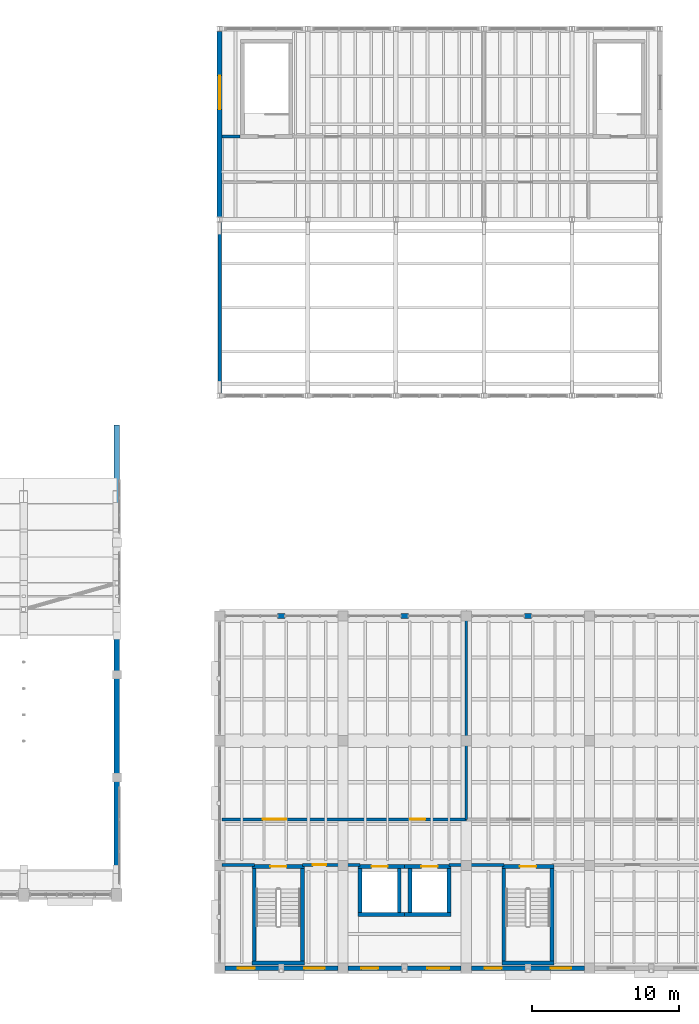
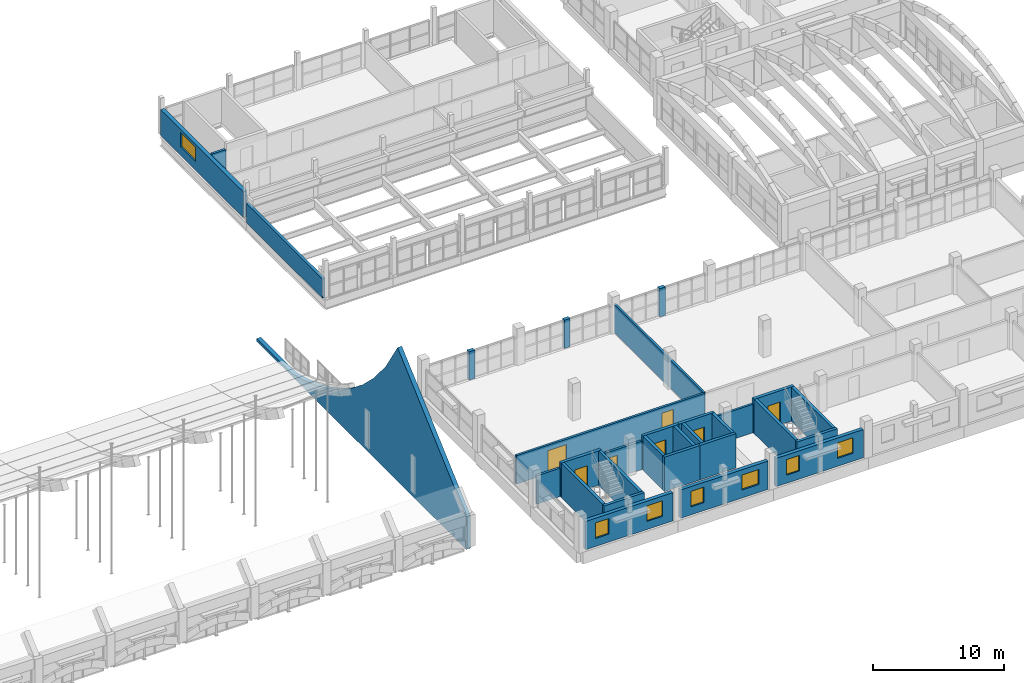
# One storey, part 62 of 77: 31 walls, 7 doors, 7 windows, 14 openings.
"""IFC4 building model written with IfcOpenShell, lengths in metres."""

from ifc_helpers import new_model, si_unit, direction, frame, frame_2d, origin, place, context, subcontext, project, spatial, polyline, rectangle, outline, extrude, material, layer, layer_set, type_object, element, fill, save


model = new_model("IFC4")

# Units and contexts
model_context = context("Model", 3, precision=1e-05, world=origin(), true_north=direction((0.0, 1.0)))
body_context = subcontext(model_context, "Body", "Model", "MODEL_VIEW")
ifc_project = project(units=[si_unit("LENGTHUNIT", "METRE"), si_unit("AREAUNIT", "SQUARE_METRE"), si_unit("VOLUMEUNIT", "CUBIC_METRE"), si_unit("PLANEANGLEUNIT", "RADIAN"), si_unit("MASSUNIT", "GRAM", prefix="KILO")], contexts=[model_context])

# Site, building, storey
site_placement = place(None, origin())
site = spatial("IfcSite", under=ifc_project, at=site_placement, CompositionType="ELEMENT")
building_placement = place(site_placement, origin())
building = spatial("IfcBuilding", under=site, at=building_placement, Name="Trellovar Central Fire Station", CompositionType="ELEMENT")
storey_placement = place(building_placement, frame((0.0, 0.0, 5.85009765625)))
storey = spatial("IfcBuildingStorey", under=building, at=storey_placement, Name="L02", CompositionType="ELEMENT", Elevation=5.85009765625)

# Walls
ifc_material_1 = material(Name="Glazed ceramic trencadis and terracotta panel", Category="masonry")
ifc_layer_1 = layer(ifc_material_1, 0.239990234375)
ifc_layer_set_1 = layer_set([ifc_layer_1], Name="Glazed ceramic trencadis and terracotta panel")
wall_type_1 = type_object("IfcWallType", Name="EW-10", PredefinedType="STANDARD", material=ifc_layer_set_1)
wall_1_placement = place(storey_placement, frame((105.5, 48.179931640625, -0.25), z_axis=(0.0, 0.0, 1.0), x_axis=(0.0, 1.0, 0.0)))
element("IfcWall", 1, at=wall_1_placement, inside=storey, type_object=wall_type_1, Name="V6 L02 W workshop upper wall", PredefinedType="STANDARD", context=body_context, shape_type="SweptSolid", body=[
    extrude(rectangle(XDim=11.64013671875, YDim=0.239990234375, at=frame_2d((5.820068359375, 0.0))), origin(), (0.0, 0.0, 1.0), 1.7998046875),
])
ifc_material_2 = material(Name="Catalan polychrome brickwork with insulated cavity", Category="masonry")
ifc_layer_2 = layer(ifc_material_2, 0.3798828125)
ifc_layer_set_2 = layer_set([ifc_layer_2], Name="Catalan polychrome brickwork with insulated cavity")
wall_type_2 = type_object("IfcWallType", Name="EW-2", PredefinedType="STANDARD", material=ifc_layer_set_2)
wall_2_placement = place(storey_placement, frame((98.5, 14.0, -0.4501953125), z_axis=(0.0, 0.0, 1.0), x_axis=(0.0, 1.0, 0.0)))
element("IfcWall", 2, at=wall_2_placement, inside=storey, type_object=wall_type_2, Name="V1 E exposed ski-jump polychrome masonry gable wall", PredefinedType="STANDARD", context=body_context, shape_type="SweptSolid", body=[
    extrude(outline(polyline([(0.0, 0.0), (32.0, 0.0), (32.0, 0.25), (30.206787109375, 0.25), (28.413330078125, 0.25), (26.6201171875, 0.258056640625), (24.82666015625, 0.73388671875), (23.033203125, 1.35986328125), (21.239990234375, 2.1494140625), (19.44677734375, 3.12060546875), (17.6533203125, 4.300048828125), (15.860107421875, 5.727783203125), (14.066650390625, 7.46728515625), (12.273193359375, 9.630615234375), (10.47998046875, 12.460205078125), (8.7333984375, 10.893310546875), (6.98681640625, 9.326904296875), (5.239990234375, 7.760009765625), (3.493408203125, 6.193359375), (1.74658203125, 4.626708984375), (0.0, 3.06005859375), (0.0, 0.0)])), frame((0.0, 0.18994140625, 0.0), z_axis=(0.0, -1.0, 0.0), x_axis=(1.0, 0.0, 0.0)), (0.0, 0.0, 1.0), 0.3798828125),
])

# Wall, opening, window
ifc_material_3 = material(Name="Textured desert sandstone masonry", Category="masonry")
ifc_layer_3 = layer(ifc_material_3, 0.340087890625)
ifc_layer_set_3 = layer_set([ifc_layer_3], Name="Textured desert sandstone masonry")
wall_type_3 = type_object("IfcWallType", Name="EW-3", PredefinedType="STANDARD", material=ifc_layer_set_3)
wall_3_placement = place(storey_placement, frame((105.5, 60.177978515625, 0.0), z_axis=(0.0, 0.0, 1.0), x_axis=(0.0, 1.0, 0.0)))
wall_3 = element("IfcWall", 3, at=wall_3_placement, inside=storey, type_object=wall_type_3, Name="V6 L02 W mezzanine wall", PredefinedType="STANDARD", context=body_context, shape_type="SweptSolid", body=[
    extrude(rectangle(XDim=12.64404296875, YDim=0.340087890625, at=frame_2d((6.322021484375, 0.0))), origin(), (0.0, 0.0, 1.0), 2.419189453125),
])
opening_1_placement = place(wall_3_placement, frame((7.322021484375, 0.0, 0.800048828125)))
opening_1 = element("IfcOpeningElement", 4, at=opening_1_placement, cuts=wall_3, Name="Opening W-21", PredefinedType="OPENING", context=body_context, shape_type="SweptSolid", body=[
    extrude(rectangle(XDim=2.300048828125, YDim=1.35009765625, at=frame_2d((1.14990234375, 0.675048828125))), frame((0.0, 0.179931640625, 0.0), z_axis=(0.0, -1.0, 0.0), x_axis=(1.0, 0.0, 0.0)), (0.0, 0.0, 1.0), 0.360107421875),
])
ifc_material_4 = material(Name="Thermally broken bronze anodized aluminum", Category="aluminium")
window_type_1 = type_object("IfcWindowType", Name="WIN-21", PartitioningType="TRIPLE_PANEL_VERTICAL", PredefinedType="WINDOW", material=ifc_material_4)
window_1_placement = place(opening_1_placement, origin())
window_1 = element("IfcWindow", 5, at=window_1_placement, inside=storey, type_object=window_type_1, Name="L02 window W-21", OverallHeight=1.35009765625, OverallWidth=2.300048828125, PartitioningType="TRIPLE_PANEL_VERTICAL", PredefinedType="WINDOW", context=body_context, shape_type="SweptSolid", body=[
    extrude(rectangle(XDim=2.300048828125, YDim=1.35009765625, at=frame_2d((1.14990234375, 0.675048828125))), frame((0.0, 0.030029296875, 0.0), z_axis=(0.0, -1.0, 0.0), x_axis=(1.0, 0.0, 0.0)), (0.0, 0.0, 1.0), 0.06005859375),
])
fill(opening_1, window_1)

# Wall, openings, windows
ifc_material_5 = material(Name="Catalan polychrome brickwork with insulated cavity", Category="masonry")
ifc_layer_4 = layer(ifc_material_5, 0.320068359375)
ifc_layer_set_4 = layer_set([ifc_layer_4], Name="Catalan polychrome brickwork with insulated cavity")
wall_type_4 = type_object("IfcWallType", Name="EW-9", PredefinedType="STANDARD", material=ifc_layer_set_4)
wall_4_placement = place(storey_placement, frame((105.85009765625, 9.0, 0.0), z_axis=(0.0, 0.0, 1.0), x_axis=(1.0, 0.0, 0.0)))
wall_4 = element("IfcWall", 6, at=wall_4_placement, inside=storey, type_object=wall_type_4, Name="V5 L02 south wall 1", PredefinedType="STANDARD", context=body_context, shape_type="SweptSolid", body=[
    extrude(rectangle(XDim=7.699951171875, YDim=0.320068359375, at=frame_2d((3.85009765625, 0.0))), origin(), (0.0, 0.0, 1.0), 2.639892578125),
])
opening_2_placement = place(wall_4_placement, frame((0.89990234375, 0.0, 0.75)))
opening_2 = element("IfcOpeningElement", 7, at=opening_2_placement, cuts=wall_4, Name="Opening W-01", PredefinedType="OPENING", context=body_context, shape_type="SweptSolid", body=[
    extrude(rectangle(XDim=1.14990234375, YDim=1.449951171875, at=frame_2d((0.574951171875, 0.72509765625))), frame((0.0, 0.169921875, 0.0), z_axis=(0.0, -1.0, 0.0), x_axis=(1.0, 0.0, 0.0)), (0.0, 0.0, 1.0), 0.340087890625),
])
opening_3_placement = place(wall_4_placement, frame((5.39990234375, 0.0, 0.75)))
opening_3 = element("IfcOpeningElement", 8, at=opening_3_placement, cuts=wall_4, Name="Opening W-22", PredefinedType="OPENING", context=body_context, shape_type="SweptSolid", body=[
    extrude(rectangle(XDim=1.39990234375, YDim=1.449951171875, at=frame_2d((0.699951171875, 0.72509765625))), frame((0.0, 0.169921875, 0.0), z_axis=(0.0, -1.0, 0.0), x_axis=(1.0, 0.0, 0.0)), (0.0, 0.0, 1.0), 0.340087890625),
])
ifc_material_6 = material(Name="Thermally broken bronze anodized aluminum", Category="aluminium")
window_type_2 = type_object("IfcWindowType", Name="WIN-01", PartitioningType="SINGLE_PANEL", PredefinedType="WINDOW", material=ifc_material_6)
window_2_placement = place(opening_2_placement, origin())
window_2 = element("IfcWindow", 9, at=window_2_placement, inside=storey, type_object=window_type_2, Name="L02 window W-01", OverallHeight=1.449951171875, OverallWidth=1.14990234375, PartitioningType="SINGLE_PANEL", PredefinedType="WINDOW", context=body_context, shape_type="SweptSolid", body=[
    extrude(rectangle(XDim=1.14990234375, YDim=1.449951171875, at=frame_2d((0.574951171875, 0.72509765625))), frame((0.0, 0.030029296875, 0.0), z_axis=(0.0, -1.0, 0.0), x_axis=(1.0, 0.0, 0.0)), (0.0, 0.0, 1.0), 0.06005859375),
])
fill(opening_2, window_2)
ifc_material_7 = material(Name="Thermally broken bronze anodized aluminum", Category="aluminium")
window_type_3 = type_object("IfcWindowType", Name="WIN-22", PartitioningType="DOUBLE_PANEL_VERTICAL", PredefinedType="WINDOW", material=ifc_material_7)
window_3_placement = place(opening_3_placement, origin())
window_3 = element("IfcWindow", 10, at=window_3_placement, inside=storey, type_object=window_type_3, Name="L02 window W-22", OverallHeight=1.449951171875, OverallWidth=1.39990234375, PartitioningType="DOUBLE_PANEL_VERTICAL", PredefinedType="WINDOW", context=body_context, shape_type="SweptSolid", body=[
    extrude(rectangle(XDim=1.39990234375, YDim=1.449951171875, at=frame_2d((0.699951171875, 0.72509765625))), frame((0.0, 0.030029296875, 0.0), z_axis=(0.0, -1.0, 0.0), x_axis=(1.0, 0.0, 0.0)), (0.0, 0.0, 1.0), 0.06005859375),
])
fill(opening_3, window_3)

wall_5_placement = place(storey_placement, frame((114.25, 9.0, 0.0), z_axis=(0.0, 0.0, 1.0), x_axis=(1.0, 0.0, 0.0)))
wall_5 = element("IfcWall", 11, at=wall_5_placement, inside=storey, type_object=wall_type_4, Name="V5 L02 south wall 2", PredefinedType="STANDARD", context=body_context, shape_type="SweptSolid", body=[
    extrude(rectangle(XDim=7.699951171875, YDim=0.320068359375, at=frame_2d((3.85009765625, 0.0))), origin(), (0.0, 0.0, 1.0), 2.639892578125),
])
opening_4_placement = place(wall_5_placement, frame((0.89990234375, 0.0, 0.75)))
opening_4 = element("IfcOpeningElement", 12, at=opening_4_placement, cuts=wall_5, Name="Opening W-01", PredefinedType="OPENING", context=body_context, shape_type="SweptSolid", body=[
    extrude(rectangle(XDim=1.14990234375, YDim=1.449951171875, at=frame_2d((0.574951171875, 0.72509765625))), frame((0.0, 0.169921875, 0.0), z_axis=(0.0, -1.0, 0.0), x_axis=(1.0, 0.0, 0.0)), (0.0, 0.0, 1.0), 0.340087890625),
])
opening_5_placement = place(wall_5_placement, frame((5.39990234375, 0.0, 0.75)))
opening_5 = element("IfcOpeningElement", 13, at=opening_5_placement, cuts=wall_5, Name="Opening W-18", PredefinedType="OPENING", context=body_context, shape_type="SweptSolid", body=[
    extrude(rectangle(XDim=1.5, YDim=1.39990234375, at=frame_2d((0.75, 0.699951171875))), frame((0.0, 0.169921875, 0.0), z_axis=(0.0, -1.0, 0.0), x_axis=(1.0, 0.0, 0.0)), (0.0, 0.0, 1.0), 0.340087890625),
])
window_4_placement = place(opening_4_placement, origin())
window_4 = element("IfcWindow", 14, at=window_4_placement, inside=storey, type_object=window_type_2, Name="L02 window W-01", OverallHeight=1.449951171875, OverallWidth=1.14990234375, PartitioningType="SINGLE_PANEL", PredefinedType="WINDOW", context=body_context, shape_type="SweptSolid", body=[
    extrude(rectangle(XDim=1.14990234375, YDim=1.449951171875, at=frame_2d((0.574951171875, 0.72509765625))), frame((0.0, 0.030029296875, 0.0), z_axis=(0.0, -1.0, 0.0), x_axis=(1.0, 0.0, 0.0)), (0.0, 0.0, 1.0), 0.06005859375),
])
fill(opening_4, window_4)
ifc_material_8 = material(Name="Thermally broken bronze anodized aluminum", Category="aluminium")
window_type_4 = type_object("IfcWindowType", Name="WIN-18", PartitioningType="DOUBLE_PANEL_VERTICAL", PredefinedType="WINDOW", material=ifc_material_8)
window_5_placement = place(opening_5_placement, origin())
window_5 = element("IfcWindow", 15, at=window_5_placement, inside=storey, type_object=window_type_4, Name="L02 window W-18", OverallHeight=1.39990234375, OverallWidth=1.5, PartitioningType="DOUBLE_PANEL_VERTICAL", PredefinedType="WINDOW", context=body_context, shape_type="SweptSolid", body=[
    extrude(rectangle(XDim=1.5, YDim=1.39990234375, at=frame_2d((0.75, 0.699951171875))), frame((0.0, 0.030029296875, 0.0), z_axis=(0.0, -1.0, 0.0), x_axis=(1.0, 0.0, 0.0)), (0.0, 0.0, 1.0), 0.06005859375),
])
fill(opening_5, window_5)

wall_6_placement = place(storey_placement, frame((122.64990234375, 9.0, 0.0), z_axis=(0.0, 0.0, 1.0), x_axis=(1.0, 0.0, 0.0)))
wall_6 = element("IfcWall", 16, at=wall_6_placement, inside=storey, type_object=wall_type_4, Name="V5 L02 south wall 3", PredefinedType="STANDARD", context=body_context, shape_type="SweptSolid", body=[
    extrude(rectangle(XDim=7.7001953125, YDim=0.320068359375, at=frame_2d((3.85009765625, 0.0))), origin(), (0.0, 0.0, 1.0), 2.639892578125),
])
opening_6_placement = place(wall_6_placement, frame((0.89990234375, 0.0, 0.75)))
opening_6 = element("IfcOpeningElement", 17, at=opening_6_placement, cuts=wall_6, Name="Opening W-01", PredefinedType="OPENING", context=body_context, shape_type="SweptSolid", body=[
    extrude(rectangle(XDim=1.14990234375, YDim=1.449951171875, at=frame_2d((0.574951171875, 0.72509765625))), frame((0.0, 0.169921875, 0.0), z_axis=(0.0, -1.0, 0.0), x_axis=(1.0, 0.0, 0.0)), (0.0, 0.0, 1.0), 0.340087890625),
])
opening_7_placement = place(wall_6_placement, frame((5.39990234375, 0.0, 0.75)))
opening_7 = element("IfcOpeningElement", 18, at=opening_7_placement, cuts=wall_6, Name="Opening W-22", PredefinedType="OPENING", context=body_context, shape_type="SweptSolid", body=[
    extrude(rectangle(XDim=1.39990234375, YDim=1.449951171875, at=frame_2d((0.699951171875, 0.72509765625))), frame((0.0, 0.169921875, 0.0), z_axis=(0.0, -1.0, 0.0), x_axis=(1.0, 0.0, 0.0)), (0.0, 0.0, 1.0), 0.340087890625),
])
window_6_placement = place(opening_6_placement, origin())
window_6 = element("IfcWindow", 19, at=window_6_placement, inside=storey, type_object=window_type_2, Name="L02 window W-01", OverallHeight=1.449951171875, OverallWidth=1.14990234375, PartitioningType="SINGLE_PANEL", PredefinedType="WINDOW", context=body_context, shape_type="SweptSolid", body=[
    extrude(rectangle(XDim=1.14990234375, YDim=1.449951171875, at=frame_2d((0.574951171875, 0.72509765625))), frame((0.0, 0.030029296875, 0.0), z_axis=(0.0, -1.0, 0.0), x_axis=(1.0, 0.0, 0.0)), (0.0, 0.0, 1.0), 0.06005859375),
])
fill(opening_6, window_6)
window_7_placement = place(opening_7_placement, origin())
window_7 = element("IfcWindow", 20, at=window_7_placement, inside=storey, type_object=window_type_3, Name="L02 window W-22", OverallHeight=1.449951171875, OverallWidth=1.39990234375, PartitioningType="DOUBLE_PANEL_VERTICAL", PredefinedType="WINDOW", context=body_context, shape_type="SweptSolid", body=[
    extrude(rectangle(XDim=1.39990234375, YDim=1.449951171875, at=frame_2d((0.699951171875, 0.72509765625))), frame((0.0, 0.030029296875, 0.0), z_axis=(0.0, -1.0, 0.0), x_axis=(1.0, 0.0, 0.0)), (0.0, 0.0, 1.0), 0.06005859375),
])
fill(opening_7, window_7)

# Walls
for number, where, z_axis, x_axis, name in (
    (21, (109.949951171875, 33.0, 0.0), (0.0, 0.0, 1.0), (-1.0, 0.0, 0.0), "V5 L02 north mullion pier"),
    (22, (118.35009765625, 33.0, 0.0), (0.0, 0.0, 1.0), (-1.0, 0.0, 0.0), "V5 L02 north mullion pier"),
    (23, (126.75, 33.0, 0.0), (0.0, 0.0, 1.0), (-1.0, 0.0, 0.0), "V5 L02 north mullion pier"),
):
    element("IfcWall", number, at=place(storey_placement, frame(where, z_axis=z_axis, x_axis=x_axis)), inside=storey, type_object=wall_type_4, Name=name, PredefinedType="STANDARD", context=body_context, shape_type="SweptSolid", body=[
        extrude(rectangle(XDim=0.5, YDim=0.320068359375, at=frame_2d((0.25, 0.0))), origin(), (0.0, 0.0, 1.0), 2.639892578125),
    ])
ifc_material_9 = material(Name="Acoustic concrete masonry unit", Category="masonry")
ifc_layer_5 = layer(ifc_material_9, 0.199951171875)
ifc_layer_set_5 = layer_set([ifc_layer_5], Name="Acoustic concrete masonry unit")
wall_type_5 = type_object("IfcWallType", Name="PT-1", PredefinedType="PARTITIONING", material=ifc_layer_set_5)
wall_7_placement = place(storey_placement, frame((105.64990234375, 16.050048828125, 0.0), z_axis=(0.0, 0.0, 1.0), x_axis=(1.0, 0.0, 0.0)))
element("IfcWall", 24, at=wall_7_placement, inside=storey, type_object=wall_type_5, Name="V5 L02 south corridor spine", PredefinedType="PARTITIONING", context=body_context, shape_type="SweptSolid", body=[
    extrude(rectangle(XDim=2.210205078125, YDim=0.199951171875, at=frame_2d((1.10498046875, 0.0))), origin(), (0.0, 0.0, 1.0), 2.64990234375),
])

# Wall, opening, door
wall_8_placement = place(storey_placement, frame((111.139892578125, 16.050048828125, 0.0), z_axis=(0.0, 0.0, 1.0), x_axis=(1.0, 0.0, 0.0)))
wall_8 = element("IfcWall", 25, at=wall_8_placement, inside=storey, type_object=wall_type_5, Name="V5 L02 south corridor spine", PredefinedType="PARTITIONING", context=body_context, shape_type="SweptSolid", body=[
    extrude(rectangle(XDim=3.93017578125, YDim=0.199951171875, at=frame_2d((1.965087890625, 0.0))), origin(), (0.0, 0.0, 1.0), 2.64990234375),
])
opening_8_placement = place(wall_8_placement, frame((0.715087890625, 0.0, 0.0)))
opening_8 = element("IfcOpeningElement", 26, at=opening_8_placement, cuts=wall_8, Name="Opening ID-11", PredefinedType="OPENING", context=body_context, shape_type="SweptSolid", body=[
    extrude(rectangle(XDim=0.89990234375, YDim=2.080078125, at=frame_2d((0.449951171875, 1.0400390625))), frame((0.0, 0.10986328125, 0.0), z_axis=(0.0, -1.0, 0.0), x_axis=(1.0, 0.0, 0.0)), (0.0, 0.0, 1.0), 0.219970703125),
])
ifc_material_10 = material(Name="Solid core acoustic white oak veneer", Category="wood")
door_type_1 = type_object("IfcDoorType", Name="DR-INT11", OperationType="SINGLE_SWING_LEFT", PredefinedType="DOOR", material=ifc_material_10)
door_1_placement = place(opening_8_placement, origin())
door_1 = element("IfcDoor", 27, at=door_1_placement, inside=storey, type_object=door_type_1, Name="V5 L02 south bay door", OperationType="SINGLE_SWING_RIGHT", OverallHeight=2.080078125, OverallWidth=0.89990234375, PredefinedType="DOOR", context=body_context, shape_type="SweptSolid", body=[
    extrude(rectangle(XDim=0.89990234375, YDim=2.080078125, at=frame_2d((0.449951171875, 1.0400390625))), frame((0.0, 0.02490234375, 0.0), z_axis=(0.0, -1.0, 0.0), x_axis=(1.0, 0.0, 0.0)), (0.0, 0.0, 1.0), 0.050048828125),
])
fill(opening_8, door_1)

# Wall
wall_9_placement = place(storey_placement, frame((121.1298828125, 16.050048828125, 0.0), z_axis=(0.0, 0.0, 1.0), x_axis=(1.0, 0.0, 0.0)))
element("IfcWall", 28, at=wall_9_placement, inside=storey, type_object=wall_type_5, Name="V5 L02 south corridor spine", PredefinedType="PARTITIONING", context=body_context, shape_type="SweptSolid", body=[
    extrude(rectangle(XDim=3.730224609375, YDim=0.199951171875, at=frame_2d((1.865234375, 0.0))), origin(), (0.0, 0.0, 1.0), 2.64990234375),
])

# Wall, openings, doors
wall_10_placement = place(storey_placement, frame((105.64990234375, 19.14990234375, 0.0), z_axis=(0.0, 0.0, 1.0), x_axis=(1.0, 0.0, 0.0)))
wall_10 = element("IfcWall", 29, at=wall_10_placement, inside=storey, type_object=wall_type_5, Name="V5 L02 north corridor spine", PredefinedType="PARTITIONING", context=body_context, shape_type="SweptSolid", body=[
    extrude(rectangle(XDim=16.650146484375, YDim=0.199951171875, at=frame_2d((8.3251953125, 0.0))), origin(), (0.0, 0.0, 1.0), 2.64990234375),
])
opening_9_placement = place(wall_10_placement, frame((2.800048828125, 0.0, 0.0)))
opening_9 = element("IfcOpeningElement", 30, at=opening_9_placement, cuts=wall_10, Name="Opening ID-4", PredefinedType="OPENING", context=body_context, shape_type="SweptSolid", body=[
    extrude(rectangle(XDim=1.60009765625, YDim=2.139892578125, at=frame_2d((0.800048828125, 1.06982421875))), frame((0.0, 0.10986328125, 0.0), z_axis=(0.0, -1.0, 0.0), x_axis=(1.0, 0.0, 0.0)), (0.0, 0.0, 1.0), 0.219970703125),
])
opening_10_placement = place(wall_10_placement, frame((12.85009765625, 0.0, 0.0)))
opening_10 = element("IfcOpeningElement", 31, at=opening_10_placement, cuts=wall_10, Name="Opening ID-1", PredefinedType="OPENING", context=body_context, shape_type="SweptSolid", body=[
    extrude(rectangle(XDim=1.0, YDim=2.1201171875, at=frame_2d((0.5, 1.06005859375))), frame((0.0, 0.10986328125, 0.0), z_axis=(0.0, -1.0, 0.0), x_axis=(1.0, 0.0, 0.0)), (0.0, 0.0, 1.0), 0.219970703125),
])
ifc_material_11 = material(Name="Solid core acoustic white oak veneer", Category="wood")
door_type_2 = type_object("IfcDoorType", Name="DR-INT1", OperationType="SINGLE_SWING_LEFT", PredefinedType="DOOR", material=ifc_material_11)
door_2_placement = place(opening_10_placement, origin())
door_2 = element("IfcDoor", 32, at=door_2_placement, inside=storey, type_object=door_type_2, Name="V5 L02 north secondary egress door", OperationType="SINGLE_SWING_RIGHT", OverallHeight=2.1201171875, OverallWidth=1.0, PredefinedType="DOOR", context=body_context, shape_type="SweptSolid", body=[
    extrude(rectangle(XDim=1.0, YDim=2.1201171875, at=frame_2d((0.5, 1.06005859375))), frame((0.0, 0.02490234375, 0.0), z_axis=(0.0, -1.0, 0.0), x_axis=(1.0, 0.0, 0.0)), (0.0, 0.0, 1.0), 0.050048828125),
])
fill(opening_10, door_2)
ifc_material_12 = material(Name="Solid core acoustic white oak veneer", Category="wood")
door_type_3 = type_object("IfcDoorType", Name="DR-INT4", OperationType="DOUBLE_DOOR_SINGLE_SWING", PredefinedType="DOOR", material=ifc_material_12)
door_3_placement = place(opening_9_placement, origin())
door_3 = element("IfcDoor", 33, at=door_3_placement, inside=storey, type_object=door_type_3, Name="V5 L02 north hall door", OperationType="DOUBLE_DOOR_SINGLE_SWING", OverallHeight=2.139892578125, OverallWidth=1.60009765625, PredefinedType="DOOR", context=body_context, shape_type="SweptSolid", body=[
    extrude(rectangle(XDim=1.60009765625, YDim=2.139892578125, at=frame_2d((0.800048828125, 1.06982421875))), frame((0.0, 0.02490234375, 0.0), z_axis=(0.0, -1.0, 0.0), x_axis=(1.0, 0.0, 0.0)), (0.0, 0.0, 1.0), 0.050048828125),
])
fill(opening_9, door_3)

# Walls
wall_11_placement = place(storey_placement, frame((105.64990234375, 65.659912109375, 0.0), z_axis=(0.0, 0.0, 1.0), x_axis=(1.0, 0.0, 0.0)))
element("IfcWall", 34, at=wall_11_placement, inside=storey, type_object=wall_type_5, Name="V6 L02 NW stub wall", PredefinedType="PARTITIONING", context=body_context, shape_type="SweptSolid", body=[
    extrude(rectangle(XDim=1.25, YDim=0.199951171875, at=frame_2d((0.625, 0.0))), origin(), (0.0, 0.0, 1.0), 2.5498046875),
])
ifc_material_13 = material(Name="Acoustic concrete masonry unit", Category="masonry")
ifc_layer_6 = layer(ifc_material_13, 0.179931640625)
ifc_layer_set_6 = layer_set([ifc_layer_6], Name="Acoustic concrete masonry unit")
wall_type_6 = type_object("IfcWallType", Name="PT-5", PredefinedType="PARTITIONING", material=ifc_layer_set_6)
wall_12_placement = place(storey_placement, frame((122.300048828125, 19.14990234375, 0.0), z_axis=(0.0, 0.0, 1.0), x_axis=(0.0, 1.0, 0.0)))
element("IfcWall", 35, at=wall_12_placement, inside=storey, type_object=wall_type_6, Name="V5 L02 north bay divider X=122.3", PredefinedType="PARTITIONING", context=body_context, shape_type="SweptSolid", body=[
    extrude(rectangle(XDim=13.7001953125, YDim=0.179931640625, at=frame_2d((6.85009765625, 0.0))), origin(), (0.0, 0.0, 1.0), 2.64990234375),
])

# Wall, opening, door
ifc_material_14 = material(Name="Concrete C40/50", Category="concrete")
ifc_layer_7 = layer(ifc_material_14, 0.280029296875)
ifc_layer_set_7 = layer_set([ifc_layer_7], Name="Concrete C40/50")
wall_type_7 = type_object("IfcWallType", Name="SW-1", PredefinedType="SHEAR", material=ifc_layer_set_7)
wall_13_placement = place(storey_placement, frame((107.719970703125, 15.93994140625, 0.0), z_axis=(0.0, 0.0, 1.0), x_axis=(1.0, 0.0, 0.0)))
wall_13 = element("IfcWall", 36, at=wall_13_placement, inside=storey, type_object=wall_type_7, Name="Stair ST-01 L02 front corridor wall", PredefinedType="SHEAR", context=body_context, shape_type="SweptSolid", body=[
    extrude(rectangle(XDim=3.56005859375, YDim=0.280029296875, at=frame_2d((1.780029296875, 0.0))), origin(), (0.0, 0.0, 1.0), 3.199951171875),
])
opening_11_placement = place(wall_13_placement, frame((1.22998046875, 0.0, 0.0)))
opening_11 = element("IfcOpeningElement", 37, at=opening_11_placement, cuts=wall_13, Name="Opening SD-2", PredefinedType="OPENING", context=body_context, shape_type="SweptSolid", body=[
    extrude(rectangle(XDim=1.10009765625, YDim=2.14990234375, at=frame_2d((0.550048828125, 1.074951171875))), frame((0.0, 0.14990234375, 0.0), z_axis=(0.0, -1.0, 0.0), x_axis=(1.0, 0.0, 0.0)), (0.0, 0.0, 1.0), 0.300048828125),
])
ifc_material_15 = material(Name="Hollow galvanized steel with acoustic core", Category="steel")
door_type_4 = type_object("IfcDoorType", Name="DR-STR2", OperationType="SINGLE_SWING_LEFT", PredefinedType="DOOR", material=ifc_material_15)
door_4_placement = place(opening_11_placement, origin())
door_4 = element("IfcDoor", 38, at=door_4_placement, inside=storey, type_object=door_type_4, Name="Stair ST-01 L02 fire door", OperationType="SINGLE_SWING_RIGHT", OverallHeight=2.14990234375, OverallWidth=1.10009765625, PredefinedType="DOOR", context=body_context, shape_type="SweptSolid", body=[
    extrude(rectangle(XDim=1.10009765625, YDim=2.14990234375, at=frame_2d((0.550048828125, 1.074951171875))), frame((0.0, 0.02490234375, 0.0), z_axis=(0.0, -1.0, 0.0), x_axis=(1.0, 0.0, 0.0)), (0.0, 0.0, 1.0), 0.050048828125),
])
fill(opening_11, door_4)

wall_14_placement = place(storey_placement, frame((124.719970703125, 15.93994140625, 0.0), z_axis=(0.0, 0.0, 1.0), x_axis=(1.0, 0.0, 0.0)))
wall_14 = element("IfcWall", 39, at=wall_14_placement, inside=storey, type_object=wall_type_7, Name="Stair ST-02 L02 front corridor wall", PredefinedType="SHEAR", context=body_context, shape_type="SweptSolid", body=[
    extrude(rectangle(XDim=3.56005859375, YDim=0.280029296875, at=frame_2d((1.780029296875, 0.0))), origin(), (0.0, 0.0, 1.0), 3.199951171875),
])
opening_12_placement = place(wall_14_placement, frame((1.22998046875, 0.0, 0.0)))
opening_12 = element("IfcOpeningElement", 40, at=opening_12_placement, cuts=wall_14, Name="Opening SD-2", PredefinedType="OPENING", context=body_context, shape_type="SweptSolid", body=[
    extrude(rectangle(XDim=1.10009765625, YDim=2.14990234375, at=frame_2d((0.550048828125, 1.074951171875))), frame((0.0, 0.14990234375, 0.0), z_axis=(0.0, -1.0, 0.0), x_axis=(1.0, 0.0, 0.0)), (0.0, 0.0, 1.0), 0.300048828125),
])
door_5_placement = place(opening_12_placement, origin())
door_5 = element("IfcDoor", 41, at=door_5_placement, inside=storey, type_object=door_type_4, Name="Stair ST-02 L02 fire door", OperationType="SINGLE_SWING_RIGHT", OverallHeight=2.14990234375, OverallWidth=1.10009765625, PredefinedType="DOOR", context=body_context, shape_type="SweptSolid", body=[
    extrude(rectangle(XDim=1.10009765625, YDim=2.14990234375, at=frame_2d((0.550048828125, 1.074951171875))), frame((0.0, 0.02490234375, 0.0), z_axis=(0.0, -1.0, 0.0), x_axis=(1.0, 0.0, 0.0)), (0.0, 0.0, 1.0), 0.050048828125),
])
fill(opening_12, door_5)

# Walls
ifc_material_16 = material(Name="Concrete C40/50", Category="concrete")
ifc_layer_8 = layer(ifc_material_16, 0.25)
ifc_layer_set_8 = layer_set([ifc_layer_8], Name="Concrete C40/50")
wall_type_8 = type_object("IfcWallType", Name="SW-2", PredefinedType="SHEAR", material=ifc_layer_set_8)
wall_15_placement = place(storey_placement, frame((111.280029296875, 9.360107421875, 0.0), z_axis=(0.0, 0.0, 1.0), x_axis=(-1.0, 0.0, 0.0)))
element("IfcWall", 42, at=wall_15_placement, inside=storey, type_object=wall_type_8, Name="Stair ST-01 L02 rear wall", PredefinedType="SHEAR", context=body_context, shape_type="SweptSolid", body=[
    extrude(rectangle(XDim=3.56005859375, YDim=0.25, at=frame_2d((1.780029296875, 0.0))), origin(), (0.0, 0.0, 1.0), 3.199951171875),
])
for number, where, z_axis, x_axis, name in (
    (43, (107.860107421875, 15.800048828125, 0.0), (0.0, 0.0, 1.0), (0.0, -1.0, 0.0), "Stair ST-01 L02 left wall"),
    (44, (111.139892578125, 9.5, 0.0), (0.0, 0.0, 1.0), (0.0, 1.0, 0.0), "Stair ST-01 L02 right wall"),
):
    element("IfcWall", number, at=place(storey_placement, frame(where, z_axis=z_axis, x_axis=x_axis)), inside=storey, type_object=wall_type_8, Name=name, PredefinedType="SHEAR", context=body_context, shape_type="SweptSolid", body=[
        extrude(rectangle(XDim=6.300048828125, YDim=0.25, at=frame_2d((3.14990234375, 0.0))), origin(), (0.0, 0.0, 1.0), 3.199951171875),
    ])
wall_16_placement = place(storey_placement, frame((128.280029296875, 9.360107421875, 0.0), z_axis=(0.0, 0.0, 1.0), x_axis=(-1.0, 0.0, 0.0)))
element("IfcWall", 45, at=wall_16_placement, inside=storey, type_object=wall_type_8, Name="Stair ST-02 L02 rear wall", PredefinedType="SHEAR", context=body_context, shape_type="SweptSolid", body=[
    extrude(rectangle(XDim=3.56005859375, YDim=0.25, at=frame_2d((1.780029296875, 0.0))), origin(), (0.0, 0.0, 1.0), 3.199951171875),
])
for number, where, z_axis, x_axis, name in (
    (46, (124.860107421875, 15.800048828125, 0.0), (0.0, 0.0, 1.0), (0.0, -1.0, 0.0), "Stair ST-02 L02 left wall"),
    (47, (128.139892578125, 9.5, 0.0), (0.0, 0.0, 1.0), (0.0, 1.0, 0.0), "Stair ST-02 L02 right wall"),
):
    element("IfcWall", number, at=place(storey_placement, frame(where, z_axis=z_axis, x_axis=x_axis)), inside=storey, type_object=wall_type_8, Name=name, PredefinedType="SHEAR", context=body_context, shape_type="SweptSolid", body=[
        extrude(rectangle(XDim=6.300048828125, YDim=0.25, at=frame_2d((3.14990234375, 0.0))), origin(), (0.0, 0.0, 1.0), 3.199951171875),
    ])
ifc_material_17 = material(Name="Concrete C40/50", Category="concrete")
ifc_layer_9 = layer(ifc_material_17, 0.260009765625)
ifc_layer_set_9 = layer_set([ifc_layer_9], Name="Concrete C40/50")
wall_type_9 = type_object("IfcWallType", Name="SW-4", PredefinedType="SHEAR", material=ifc_layer_set_9)
wall_17_placement = place(storey_placement, frame((114.93994140625, 12.669921875, 0.0), z_axis=(0.0, 0.0, 1.0), x_axis=(1.0, 0.0, 0.0)))
element("IfcWall", 48, at=wall_17_placement, inside=storey, type_object=wall_type_9, Name="Lift EL-01 L02 S wall", PredefinedType="SHEAR", context=body_context, shape_type="SweptSolid", body=[
    extrude(rectangle(XDim=3.16015625, YDim=0.260009765625, at=frame_2d((1.580078125, 0.0))), origin(), (0.0, 0.0, 1.0), 3.199951171875),
])

# Wall, opening, door
wall_18_placement = place(storey_placement, frame((118.10009765625, 15.929931640625, 0.0), z_axis=(0.0, 0.0, 1.0), x_axis=(-1.0, 0.0, 0.0)))
wall_18 = element("IfcWall", 49, at=wall_18_placement, inside=storey, type_object=wall_type_9, Name="Lift EL-01 L02 N wall", PredefinedType="SHEAR", context=body_context, shape_type="SweptSolid", body=[
    extrude(rectangle(XDim=3.16015625, YDim=0.260009765625, at=frame_2d((1.580078125, 0.0))), origin(), (0.0, 0.0, 1.0), 3.199951171875),
])
opening_13_placement = place(wall_18_placement, frame((1.14990234375, 0.0, 0.0)))
opening_13 = element("IfcOpeningElement", 50, at=opening_13_placement, cuts=wall_18, Name="Opening LD-1", PredefinedType="OPENING", context=body_context, shape_type="SweptSolid", body=[
    extrude(rectangle(XDim=1.10009765625, YDim=2.14990234375, at=frame_2d((0.550048828125, 1.074951171875))), frame((0.0, 0.139892578125, 0.0), z_axis=(0.0, -1.0, 0.0), x_axis=(1.0, 0.0, 0.0)), (0.0, 0.0, 1.0), 0.280029296875),
])
ifc_material_18 = material(Name="Brushed stainless steel", Category="steel")
door_type_5 = type_object("IfcDoorType", Name="DR-LFT1", OperationType="SLIDING_TO_LEFT", PredefinedType="DOOR", material=ifc_material_18)
door_6_placement = place(opening_13_placement, origin())
door_6 = element("IfcDoor", 51, at=door_6_placement, inside=storey, type_object=door_type_5, Name="Elevator EL-01 L02 sliding landing door", OperationType="SLIDING_TO_LEFT", OverallHeight=2.14990234375, OverallWidth=1.10009765625, PredefinedType="DOOR", context=body_context, shape_type="SweptSolid", body=[
    extrude(rectangle(XDim=1.10009765625, YDim=2.14990234375, at=frame_2d((0.550048828125, 1.074951171875))), frame((0.0, 0.02490234375, 0.0), z_axis=(0.0, -1.0, 0.0), x_axis=(1.0, 0.0, 0.0)), (0.0, 0.0, 1.0), 0.050048828125),
])
fill(opening_13, door_6)

# Walls
for number, where, z_axis, x_axis, name in (
    (52, (115.070068359375, 15.800048828125, 0.0), (0.0, 0.0, 1.0), (0.0, -1.0, 0.0), "Lift EL-01 L02 W wall"),
    (53, (117.72998046875, 12.800048828125, 0.0), (0.0, 0.0, 1.0), (0.0, 1.0, 0.0), "Lift EL-01 L02 E wall"),
):
    element("IfcWall", number, at=place(storey_placement, frame(where, z_axis=z_axis, x_axis=x_axis)), inside=storey, type_object=wall_type_9, Name=name, PredefinedType="SHEAR", context=body_context, shape_type="SweptSolid", body=[
        extrude(rectangle(XDim=3.0, YDim=0.260009765625, at=frame_2d((1.5, 0.0))), origin(), (0.0, 0.0, 1.0), 3.199951171875),
    ])
wall_19_placement = place(storey_placement, frame((118.10009765625, 12.669921875, 0.0), z_axis=(0.0, 0.0, 1.0), x_axis=(1.0, 0.0, 0.0)))
element("IfcWall", 54, at=wall_19_placement, inside=storey, type_object=wall_type_9, Name="Lift EL-02 L02 S wall", PredefinedType="SHEAR", context=body_context, shape_type="SweptSolid", body=[
    extrude(rectangle(XDim=3.159912109375, YDim=0.260009765625, at=frame_2d((1.580078125, 0.0))), origin(), (0.0, 0.0, 1.0), 3.199951171875),
])

# Wall, opening, door
wall_20_placement = place(storey_placement, frame((121.260009765625, 15.929931640625, 0.0), z_axis=(0.0, 0.0, 1.0), x_axis=(-1.0, 0.0, 0.0)))
wall_20 = element("IfcWall", 55, at=wall_20_placement, inside=storey, type_object=wall_type_9, Name="Lift EL-02 L02 N wall", PredefinedType="SHEAR", context=body_context, shape_type="SweptSolid", body=[
    extrude(rectangle(XDim=3.159912109375, YDim=0.260009765625, at=frame_2d((1.580078125, 0.0))), origin(), (0.0, 0.0, 1.0), 3.199951171875),
])
opening_14_placement = place(wall_20_placement, frame((0.909912109375, 0.0, 0.0)))
opening_14 = element("IfcOpeningElement", 56, at=opening_14_placement, cuts=wall_20, Name="Opening LD-1", PredefinedType="OPENING", context=body_context, shape_type="SweptSolid", body=[
    extrude(rectangle(XDim=1.10009765625, YDim=2.14990234375, at=frame_2d((0.550048828125, 1.074951171875))), frame((0.0, 0.139892578125, 0.0), z_axis=(0.0, -1.0, 0.0), x_axis=(1.0, 0.0, 0.0)), (0.0, 0.0, 1.0), 0.280029296875),
])
door_7_placement = place(opening_14_placement, origin())
door_7 = element("IfcDoor", 57, at=door_7_placement, inside=storey, type_object=door_type_5, Name="Elevator EL-02 L02 sliding landing door", OperationType="SLIDING_TO_LEFT", OverallHeight=2.14990234375, OverallWidth=1.10009765625, PredefinedType="DOOR", context=body_context, shape_type="SweptSolid", body=[
    extrude(rectangle(XDim=1.10009765625, YDim=2.14990234375, at=frame_2d((0.550048828125, 1.074951171875))), frame((0.0, 0.02490234375, 0.0), z_axis=(0.0, -1.0, 0.0), x_axis=(1.0, 0.0, 0.0)), (0.0, 0.0, 1.0), 0.050048828125),
])
fill(opening_14, door_7)

# Walls
for number, where, z_axis, x_axis, name in (
    (58, (118.469970703125, 15.800048828125, 0.0), (0.0, 0.0, 1.0), (0.0, -1.0, 0.0), "Lift EL-02 L02 W wall"),
    (59, (121.1298828125, 12.800048828125, 0.0), (0.0, 0.0, 1.0), (0.0, 1.0, 0.0), "Lift EL-02 L02 E wall"),
):
    element("IfcWall", number, at=place(storey_placement, frame(where, z_axis=z_axis, x_axis=x_axis)), inside=storey, type_object=wall_type_9, Name=name, PredefinedType="SHEAR", context=body_context, shape_type="SweptSolid", body=[
        extrude(rectangle(XDim=3.0, YDim=0.260009765625, at=frame_2d((1.5, 0.0))), origin(), (0.0, 0.0, 1.0), 3.199951171875),
    ])

save(model, "model.ifc")
